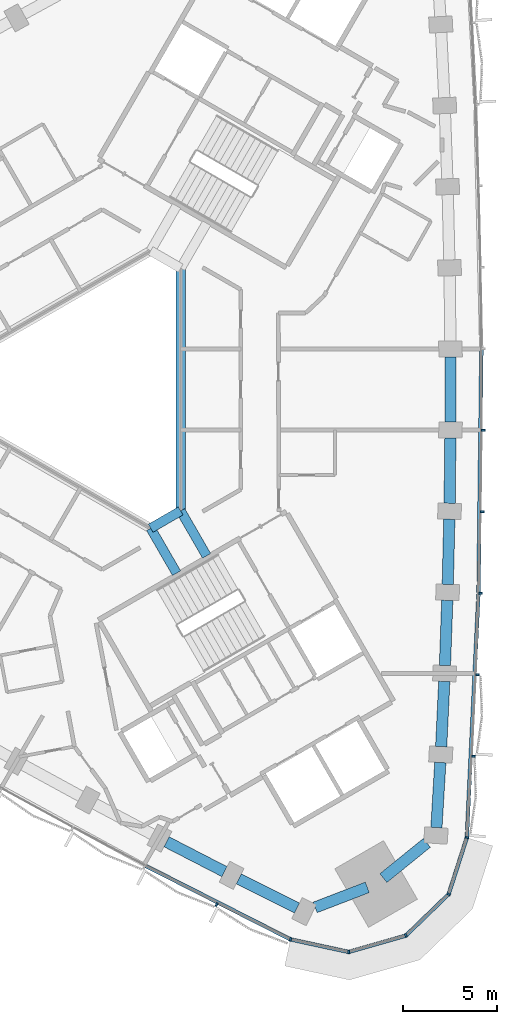
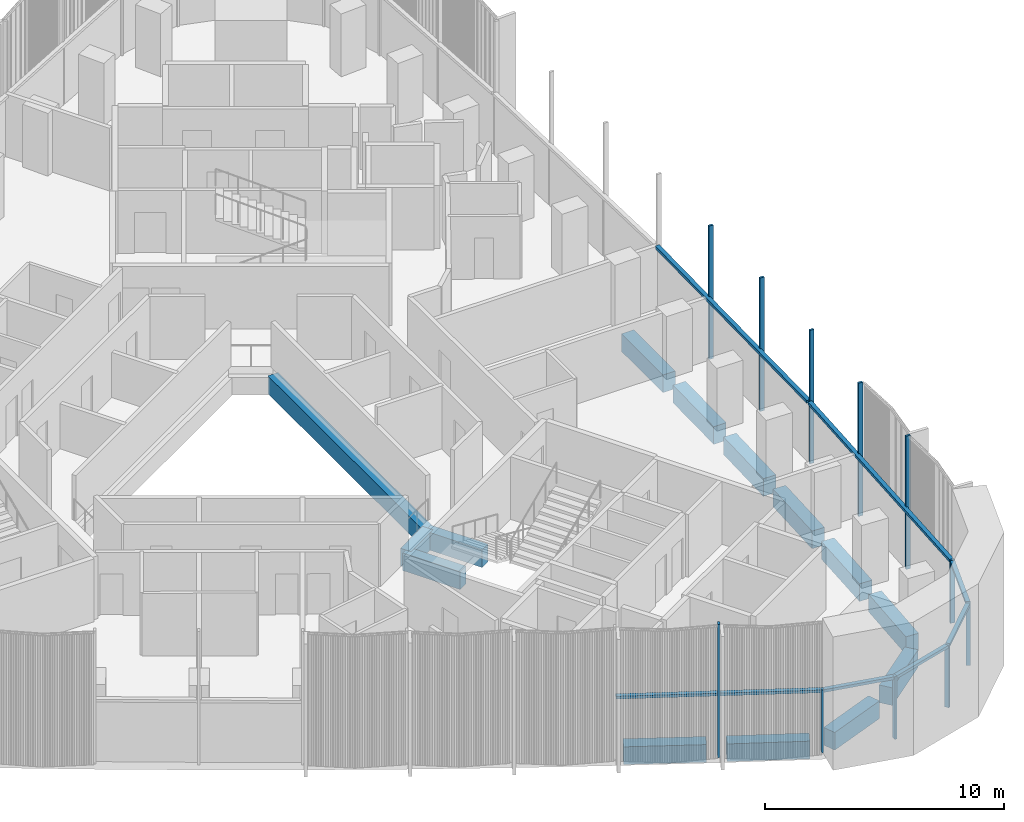
# One storey, part 3 of 15: 18 members, 14 beams, 2 elements without a shape of their own.
"""IFC4 building model written with IfcOpenShell, lengths in metres."""

from ifc_helpers import new_model, si_unit, direction, frame, origin, origin_2d, place, context, subcontext, project, spatial, rectangle, extrude, material, material_profile, profile_set, type_object, element, aggregate, save


model = new_model("IFC4")

# Units and contexts
model_context = context("Model", 3, precision=1e-05, world=origin(), true_north=direction((0.0, 1.0)))
body_context = subcontext(model_context, "Body", "Model", "MODEL_VIEW")
ifc_project = project(units=[si_unit("LENGTHUNIT", "METRE"), si_unit("AREAUNIT", "SQUARE_METRE"), si_unit("VOLUMEUNIT", "CUBIC_METRE"), si_unit("PLANEANGLEUNIT", "RADIAN"), si_unit("MASSUNIT", "GRAM", prefix="KILO")], contexts=[model_context])

# Site, building, storey
site_placement = place(None, origin())
site = spatial("IfcSite", under=ifc_project, at=site_placement, CompositionType="ELEMENT")
building_placement = place(site_placement, origin())
building = spatial("IfcBuilding", under=site, at=building_placement, Name="Tamra Quay Hotel Tower", CompositionType="ELEMENT")
storey_placement = place(building_placement, frame((0.0, 0.0, 157.60009765625)))
storey = spatial("IfcBuildingStorey", under=building, at=storey_placement, Name="L39", CompositionType="ELEMENT", Elevation=157.60009765625)

# Beams
ifc_material_1 = material(Name="Concrete M60", Category="concrete")
ifc_material_profile_1 = material_profile(ifc_material_1, rectangle(XDim=0.5, YDim=0.89990234375, at=origin_2d()), Name="ATRIUM EDGE BEAM RC 500x900")
ifc_profile_set_1 = profile_set([ifc_material_profile_1], Name="Concrete M60")
beam_type_1 = type_object("IfcBeamType", Name="ATRIUM EDGE BEAM RC 500x900", PredefinedType="BEAM", material=ifc_profile_set_1)
beam_1_placement = place(storey_placement, frame((4.800048828125, 6.46630859375, -0.85009765625), z_axis=(0.0, -1.0, 0.0), x_axis=(1.0, 0.0, 0.0)))
element("IfcBeam", 1, at=beam_1_placement, inside=storey, type_object=beam_type_1, Name="BM-AB0-L39", PredefinedType="BEAM", context=body_context, shape_type="SweptSolid", body=[
    extrude(rectangle(XDim=0.5, YDim=0.89990234375, at=origin_2d()), origin(), (0.0, 0.0, 1.0), 12.9326171875),
])
beam_2_placement = place(storey_placement, frame((4.800048828125, -6.46630859375, -0.85009765625), z_axis=(-0.86602275259, -0.500004591975, 0.0), x_axis=(0.500004591975, -0.86602275259, 0.0)))
element("IfcBeam", 2, at=beam_2_placement, inside=storey, type_object=beam_type_1, Name="BM-AB1-L39", PredefinedType="BEAM", context=body_context, shape_type="SweptSolid", body=[
    extrude(rectangle(XDim=0.5, YDim=0.89990234375, at=origin_2d()), origin(), (0.0, 0.0, 1.0), 1.84765625),
])
ifc_material_profile_2 = material_profile(ifc_material_1, rectangle(XDim=0.5, YDim=0.89990234375, at=origin_2d()), Name="ATRIUM TIE BEAM RC 500x900")
ifc_profile_set_2 = profile_set([ifc_material_profile_2], Name="Concrete M60")
beam_type_2 = type_object("IfcBeamType", Name="ATRIUM TIE BEAM RC 500x900", PredefinedType="BEAM", material=ifc_profile_set_2)
for number, where, z_axis, x_axis, name in (
    (3, (4.800048828125, -6.46630859375, -0.85009765625), (0.500008091576, -0.86602073206, 0.0), (0.86602073206, 0.500008091576, 0.0), "BM-TIE-1-L39"),
    (4, (3.199951171875, -7.39013671875, -0.85009765625), (0.500008091576, -0.86602073206, 0.0), (0.86602073206, 0.500008091576, 0.0), "BM-TIE-2-L39"),
):
    element("IfcBeam", number, at=place(storey_placement, frame(where, z_axis=z_axis, x_axis=x_axis)), inside=storey, type_object=beam_type_2, Name=name, PredefinedType="BEAM", context=body_context, shape_type="SweptSolid", body=[
        extrude(rectangle(XDim=0.5, YDim=0.89990234375, at=origin_2d()), origin(), (0.0, 0.0, 1.0), 2.76220703125),
    ])

# Curtain wall, members
ifc_material_2 = material(Name="Aluminium 6063 anodised dark grey", Category="aluminium")
curtain_wall_type_1 = type_object("IfcCurtainWallType", Name="CW1 CURTAIN WALL", PredefinedType="NOTDEFINED", material=ifc_material_2)
curtain_wall_1_placement = place(storey_placement, origin())
curtain_wall_1 = element("IfcCurtainWall", 5, at=curtain_wall_1_placement, inside=storey, type_object=curtain_wall_type_1, Name="CW1 east face L39", PredefinedType="NOTDEFINED")
ifc_material_profile_3 = material_profile(ifc_material_2, rectangle(XDim=0.199951171875, YDim=0.10009765625, at=origin_2d()), Name="MULLION 100X200")
ifc_profile_set_3 = profile_set([ifc_material_profile_3], Name="Aluminium 6063 anodised dark grey")
member_type_1 = type_object("IfcMemberType", Name="MULLION CW1 Z3", PredefinedType="MULLION", material=ifc_profile_set_3)
member_1_placement = place(storey_placement, frame((20.042236328125, -23.864990234375, 0.0), z_axis=(0.0, 0.0, 1.0), x_axis=(0.982883191402, -0.184229834881, 0.0)))
member_1 = element("IfcMember", 6, at=member_1_placement, type_object=member_type_1, Name="CW1 mullion L39.E.1", PredefinedType="MULLION", context=body_context, shape_type="SweptSolid", body=[
    extrude(rectangle(XDim=0.199951171875, YDim=0.10009765625, at=origin_2d()), origin(), (0.0, 0.0, 1.0), 3.199951171875),
])
member_2_placement = place(storey_placement, frame((20.40087890625, -19.5361328125, 0.0), z_axis=(0.0, 0.0, 1.0), x_axis=(0.998557357992, -0.053695463492, 0.0)))
member_2 = element("IfcMember", 7, at=member_2_placement, type_object=member_type_1, Name="CW1 mullion L39.E.2", PredefinedType="MULLION", context=body_context, shape_type="SweptSolid", body=[
    extrude(rectangle(XDim=0.199951171875, YDim=0.10009765625, at=origin_2d()), origin(), (0.0, 0.0, 1.0), 6.7998046875),
])
member_3_placement = place(storey_placement, frame((20.6083984375, -15.197998046875, 0.0), z_axis=(0.0, 0.0, 1.0), x_axis=(0.999126133482, -0.041796762943, 0.0)))
member_3 = element("IfcMember", 8, at=member_3_placement, type_object=member_type_1, Name="CW1 mullion L39.E.3", PredefinedType="MULLION", context=body_context, shape_type="SweptSolid", body=[
    extrude(rectangle(XDim=0.199951171875, YDim=0.10009765625, at=origin_2d()), origin(), (0.0, 0.0, 1.0), 6.7998046875),
])
member_4_placement = place(storey_placement, frame((20.763916015625, -10.857177734375, 0.0), z_axis=(0.0, 0.0, 1.0), x_axis=(0.999553759324, -0.029871093397, 0.0)))
member_4 = element("IfcMember", 9, at=member_4_placement, type_object=member_type_1, Name="CW1 mullion L39.E.4", PredefinedType="MULLION", context=body_context, shape_type="SweptSolid", body=[
    extrude(rectangle(XDim=0.199951171875, YDim=0.10009765625, at=origin_2d()), origin(), (0.0, 0.0, 1.0), 6.7998046875),
])
member_5_placement = place(storey_placement, frame((20.867919921875, -6.514404296875, 0.0), z_axis=(0.0, 0.0, 1.0), x_axis=(0.999839299777, -0.017926924493, 0.0)))
member_5 = element("IfcMember", 10, at=member_5_placement, type_object=member_type_1, Name="CW1 mullion L39.E.5", PredefinedType="MULLION", context=body_context, shape_type="SweptSolid", body=[
    extrude(rectangle(XDim=0.199951171875, YDim=0.10009765625, at=origin_2d()), origin(), (0.0, 0.0, 1.0), 6.7998046875),
])
member_6_placement = place(storey_placement, frame((20.919677734375, -2.171875, 0.0), z_axis=(0.0, 0.0, 1.0), x_axis=(0.99998212789, -0.005978620244, 0.0)))
member_6 = element("IfcMember", 11, at=member_6_placement, type_object=member_type_1, Name="CW1 mullion L39.E.6", PredefinedType="MULLION", context=body_context, shape_type="SweptSolid", body=[
    extrude(rectangle(XDim=0.199951171875, YDim=0.10009765625, at=origin_2d()), origin(), (0.0, 0.0, 1.0), 6.7998046875),
])

curtain_wall_type_2 = type_object("IfcCurtainWallType", Name="CW3 CURTAIN WALL", PredefinedType="NOTDEFINED", material=ifc_material_2)
curtain_wall_2_placement = place(storey_placement, origin())
curtain_wall_2 = element("IfcCurtainWall", 12, at=curtain_wall_2_placement, inside=storey, type_object=curtain_wall_type_2, Name="CW3 south-west face L39", PredefinedType="NOTDEFINED")
ifc_material_profile_4 = material_profile(ifc_material_2, rectangle(XDim=0.199951171875, YDim=0.10009765625, at=origin_2d()), Name="MULLION 100X200")
ifc_profile_set_4 = profile_set([ifc_material_profile_4], Name="Aluminium 6063 anodised dark grey")
member_type_2 = type_object("IfcMemberType", Name="MULLION CW3 Z3", PredefinedType="MULLION", material=ifc_profile_set_4)
member_7_placement = place(storey_placement, frame((6.71826171875, -27.435791015625, 0.0), z_axis=(0.0, 0.0, 1.0), x_axis=(-0.452777043544, -0.891623770903, 0.0)))
member_7 = element("IfcMember", 13, at=member_7_placement, type_object=member_type_2, Name="CW3 mullion L39.SW.11", PredefinedType="MULLION", context=body_context, shape_type="SweptSolid", body=[
    extrude(rectangle(XDim=0.199951171875, YDim=0.10009765625, at=origin_2d()), origin(), (0.0, 0.0, 1.0), 6.7998046875),
])
member_8_placement = place(storey_placement, frame((10.646728515625, -29.28955078125, 0.0), z_axis=(0.0, 0.0, 1.0), x_axis=(-0.331893878559, -0.943316730147, 0.0)))
member_8 = element("IfcMember", 14, at=member_8_placement, type_object=member_type_2, Name="CW3 mullion L39.SW.12", PredefinedType="MULLION", context=body_context, shape_type="SweptSolid", body=[
    extrude(rectangle(XDim=0.199951171875, YDim=0.10009765625, at=origin_2d()), origin(), (0.0, 0.0, 1.0), 3.199951171875),
])
member_9_placement = place(storey_placement, frame((13.74560546875, -29.958740234375, 0.0), z_axis=(0.0, 0.0, 1.0), x_axis=(0.032727311619, -0.99946431806, 0.0)))
member_9 = element("IfcMember", 15, at=member_9_placement, type_object=member_type_2, Name="CW3 mullion L39.SW.13", PredefinedType="MULLION", context=body_context, shape_type="SweptSolid", body=[
    extrude(rectangle(XDim=0.199951171875, YDim=0.10009765625, at=origin_2d()), origin(), (0.0, 0.0, 1.0), 3.199951171875),
])
member_10_placement = place(storey_placement, frame((16.794189453125, -29.088134765625, 0.0), z_axis=(0.0, 0.0, 1.0), x_axis=(0.5, -0.866025403784, 0.0)))
member_10 = element("IfcMember", 16, at=member_10_placement, type_object=member_type_2, Name="CW3 mullion L39.SW.14", PredefinedType="MULLION", context=body_context, shape_type="SweptSolid", body=[
    extrude(rectangle(XDim=0.199951171875, YDim=0.10009765625, at=origin_2d()), origin(), (0.0, 0.0, 1.0), 3.199951171875),
])
member_11_placement = place(storey_placement, frame((19.072265625, -26.883544921875, 0.0), z_axis=(0.0, 0.0, 1.0), x_axis=(0.849197833806, -0.52807484229, 0.0)))
member_11 = element("IfcMember", 17, at=member_11_placement, type_object=member_type_2, Name="CW3 mullion L39.SW.15", PredefinedType="MULLION", context=body_context, shape_type="SweptSolid", body=[
    extrude(rectangle(XDim=0.199951171875, YDim=0.10009765625, at=origin_2d()), origin(), (0.0, 0.0, 1.0), 3.199951171875),
])

# Beams
ifc_material_profile_5 = material_profile(ifc_material_1, rectangle(XDim=0.60009765625, YDim=0.89990234375, at=origin_2d()), Name="SPANDREL BEAM RC 600x900")
ifc_profile_set_5 = profile_set([ifc_material_profile_5], Name="Concrete M60")
beam_type_3 = type_object("IfcBeamType", Name="SPANDREL BEAM RC 600x900", PredefinedType="SPANDREL", material=ifc_profile_set_5)
beam_3_placement = place(storey_placement, frame((18.422119140625, -23.3330078125, -0.85009765625), z_axis=(0.059620475238, 0.998221117254, 0.0), x_axis=(-0.998221117254, 0.059620475238, 0.0)))
element("IfcBeam", 18, at=beam_3_placement, inside=storey, type_object=beam_type_3, Name="BM-SP3-000-L39", PredefinedType="SPANDREL", context=body_context, shape_type="SweptSolid", body=[
    extrude(rectangle(XDim=0.60009765625, YDim=0.89990234375, at=origin_2d()), origin(), (0.0, 0.0, 1.0), 3.472412109375),
])
beam_4_placement = place(storey_placement, frame((18.6748046875, -19.017822265625, -0.85009765625), z_axis=(0.047732145575, 0.998860171535, 0.0), x_axis=(-0.998860171535, 0.047732145575, 0.0)))
element("IfcBeam", 19, at=beam_4_placement, inside=storey, type_object=beam_type_3, Name="BM-SP3-001-L39", PredefinedType="SPANDREL", context=body_context, shape_type="SweptSolid", body=[
    extrude(rectangle(XDim=0.60009765625, YDim=0.89990234375, at=origin_2d()), origin(), (0.0, 0.0, 1.0), 3.472900390625),
])
beam_5_placement = place(storey_placement, frame((18.876220703125, -14.69970703125, -0.85009765625), z_axis=(0.035786826945, 0.999359446354, 0.0), x_axis=(-0.999359446354, 0.035786826945, 0.0)))
element("IfcBeam", 20, at=beam_5_placement, inside=storey, type_object=beam_type_3, Name="BM-SP3-002-L39", PredefinedType="SPANDREL", context=body_context, shape_type="SweptSolid", body=[
    extrude(rectangle(XDim=0.60009765625, YDim=0.89990234375, at=origin_2d()), origin(), (0.0, 0.0, 1.0), 3.472412109375),
])
beam_6_placement = place(storey_placement, frame((19.02587890625, -10.3798828125, -0.85009765625), z_axis=(0.023906514803, 0.999714198434, 0.0), x_axis=(-0.999714198434, 0.023906514803, 0.0)))
element("IfcBeam", 21, at=beam_6_placement, inside=storey, type_object=beam_type_3, Name="BM-SP3-003-L39", PredefinedType="SPANDREL", context=body_context, shape_type="SweptSolid", body=[
    extrude(rectangle(XDim=0.60009765625, YDim=0.89990234375, at=origin_2d()), origin(), (0.0, 0.0, 1.0), 3.47216796875),
])
beam_7_placement = place(storey_placement, frame((19.124267578125, -6.05859375, -0.85009765625), z_axis=(0.011951617666, 0.999928576867, 0.0), x_axis=(-0.999928576867, 0.011951617666, 0.0)))
element("IfcBeam", 22, at=beam_7_placement, inside=storey, type_object=beam_type_3, Name="BM-SP3-004-L39", PredefinedType="SPANDREL", context=body_context, shape_type="SweptSolid", body=[
    extrude(rectangle(XDim=0.60009765625, YDim=0.89990234375, at=origin_2d()), origin(), (0.0, 0.0, 1.0), 3.47265625),
])
beam_8_placement = place(storey_placement, frame((19.1708984375, -1.736083984375, -0.85009765625), z_axis=(0.0, 1.0, 0.0), x_axis=(-1.0, 0.0, 0.0)))
element("IfcBeam", 23, at=beam_8_placement, inside=storey, type_object=beam_type_3, Name="BM-SP3-005-L39", PredefinedType="SPANDREL", context=body_context, shape_type="SweptSolid", body=[
    extrude(rectangle(XDim=0.60009765625, YDim=0.89990234375, at=origin_2d()), origin(), (0.0, 0.0, 1.0), 3.47216796875),
])
beam_9_placement = place(storey_placement, frame((4.04541015625, -24.0908203125, -0.85009765625), z_axis=(0.888919913451, -0.458062645792, 0.0), x_axis=(0.458062645792, 0.888919913451, 0.0)))
element("IfcBeam", 24, at=beam_9_placement, inside=storey, type_object=beam_type_3, Name="BM-SP3-035-L39", PredefinedType="SPANDREL", context=body_context, shape_type="SweptSolid", body=[
    extrude(rectangle(XDim=0.60009765625, YDim=0.89990234375, at=origin_2d()), origin(), (0.0, 0.0, 1.0), 3.472900390625),
])
beam_10_placement = place(storey_placement, frame((7.890380859375, -26.066650390625, -0.85009765625), z_axis=(0.894314670292, -0.447438566174, 0.0), x_axis=(0.447438566174, 0.894314670292, 0.0)))
element("IfcBeam", 25, at=beam_10_placement, inside=storey, type_object=beam_type_3, Name="BM-SP3-036-L39", PredefinedType="SPANDREL", context=body_context, shape_type="SweptSolid", body=[
    extrude(rectangle(XDim=0.60009765625, YDim=0.89990234375, at=origin_2d()), origin(), (0.0, 0.0, 1.0), 3.472412109375),
])
beam_11_placement = place(storey_placement, frame((11.960693359375, -27.586181640625, -0.85009765625), z_axis=(0.933527198951, 0.358506581278, 0.0), x_axis=(-0.358506581278, 0.933527198951, 0.0)))
element("IfcBeam", 26, at=beam_11_placement, inside=storey, type_object=beam_type_3, Name="BM-SP3-037-L39", PredefinedType="SPANDREL", context=body_context, shape_type="SweptSolid", body=[
    extrude(rectangle(XDim=0.60009765625, YDim=0.89990234375, at=origin_2d()), origin(), (0.0, 0.0, 1.0), 2.97802734375),
])
beam_12_placement = place(storey_placement, frame((15.595703125, -26.02490234375, -0.85009765625), z_axis=(0.777183767602, 0.629273701482, 0.0), x_axis=(-0.629273701482, 0.777183767602, 0.0)))
element("IfcBeam", 27, at=beam_12_placement, inside=storey, type_object=beam_type_3, Name="BM-SP3-038-L39", PredefinedType="SPANDREL", context=body_context, shape_type="SweptSolid", body=[
    extrude(rectangle(XDim=0.60009765625, YDim=0.89990234375, at=origin_2d()), origin(), (0.0, 0.0, 1.0), 2.977783203125),
])

# Member
ifc_material_profile_6 = material_profile(ifc_material_2, rectangle(XDim=0.199951171875, YDim=0.139892578125, at=origin_2d()), Name="TRANSOM 200X140")
ifc_profile_set_6 = profile_set([ifc_material_profile_6], Name="Aluminium 6063 anodised dark grey")
member_type_3 = type_object("IfcMemberType", Name="TRANSOM CW1 Z3", PredefinedType="USERDEFINED", material=ifc_profile_set_6)
member_12_placement = place(storey_placement, frame((20.045166015625, -23.815185546875, 3.1298828125), z_axis=(0.047748214434, 0.998859403529, 0.0), x_axis=(-0.998859403529, 0.047748214434, 0.0)))
member_12 = element("IfcMember", 28, at=member_12_placement, type_object=member_type_3, Name="CW1 transom L39.E.1", ObjectType="TRANSOM", PredefinedType="USERDEFINED", context=body_context, shape_type="SweptSolid", body=[
    extrude(rectangle(XDim=0.199951171875, YDim=0.139892578125, at=origin_2d()), origin(), (0.0, 0.0, 1.0), 12.92578125),
])

member_13_placement = place(storey_placement, frame((20.665283203125, -10.80419921875, 3.1298828125), z_axis=(0.011955400346, 0.999928531647, 0.0), x_axis=(-0.999928531647, 0.011955400346, 0.0)))
member_13 = element("IfcMember", 29, at=member_13_placement, type_object=member_type_3, Name="CW1 transom L39.E.4", ObjectType="TRANSOM", PredefinedType="USERDEFINED", context=body_context, shape_type="SweptSolid", body=[
    extrude(rectangle(XDim=0.199951171875, YDim=0.139892578125, at=origin_2d()), origin(), (0.0, 0.0, 1.0), 12.926513671875),
])

aggregate(curtain_wall_1, [member_1, member_12, member_2, member_3, member_4, member_13, member_5, member_6])

ifc_material_profile_7 = material_profile(ifc_material_2, rectangle(XDim=0.199951171875, YDim=0.139892578125, at=origin_2d()), Name="TRANSOM 200X140")
ifc_profile_set_7 = profile_set([ifc_material_profile_7], Name="Aluminium 6063 anodised dark grey")
member_type_4 = type_object("IfcMemberType", Name="TRANSOM CW3 Z3", PredefinedType="USERDEFINED", material=ifc_profile_set_7)
member_14_placement = place(storey_placement, frame((2.948486328125, -25.380615234375, 3.1298828125), z_axis=(0.891628261752, -0.452768199905, 0.0), x_axis=(0.452768199905, 0.891628261752, 0.0)))
member_14 = element("IfcMember", 30, at=member_14_placement, type_object=member_type_4, Name="CW3 transom L39.SW.10", ObjectType="TRANSOM", PredefinedType="USERDEFINED", context=body_context, shape_type="SweptSolid", body=[
    extrude(rectangle(XDim=0.199951171875, YDim=0.139892578125, at=origin_2d()), origin(), (0.0, 0.0, 1.0), 8.583740234375),
])

member_15_placement = place(storey_placement, frame((10.695556640625, -29.300048828125, 3.1298828125), z_axis=(0.977462525021, -0.211109005445, 0.0), x_axis=(0.211109005445, 0.977462525021, 0.0)))
member_15 = element("IfcMember", 31, at=member_15_placement, type_object=member_type_4, Name="CW3 transom L39.SW.12", ObjectType="TRANSOM", PredefinedType="USERDEFINED", context=body_context, shape_type="SweptSolid", body=[
    extrude(rectangle(XDim=0.199951171875, YDim=0.139892578125, at=origin_2d()), origin(), (0.0, 0.0, 1.0), 3.0703125),
])

member_16_placement = place(storey_placement, frame((13.793701171875, -29.945068359375, 3.1298828125), z_axis=(0.961568942949, 0.274563595469, 0.0), x_axis=(-0.274563595469, 0.961568942949, 0.0)))
member_16 = element("IfcMember", 32, at=member_16_placement, type_object=member_type_4, Name="CW3 transom L39.SW.13", ObjectType="TRANSOM", PredefinedType="USERDEFINED", context=body_context, shape_type="SweptSolid", body=[
    extrude(rectangle(XDim=0.199951171875, YDim=0.139892578125, at=origin_2d()), origin(), (0.0, 0.0, 1.0), 3.0703125),
])

member_17_placement = place(storey_placement, frame((16.830078125, -29.053466796875, 3.1298828125), z_axis=(0.71858163235, 0.695442619955, 0.0), x_axis=(-0.695442619955, 0.71858163235, 0.0)))
member_17 = element("IfcMember", 33, at=member_17_placement, type_object=member_type_4, Name="CW3 transom L39.SW.14", ObjectType="TRANSOM", PredefinedType="USERDEFINED", context=body_context, shape_type="SweptSolid", body=[
    extrude(rectangle(XDim=0.199951171875, YDim=0.139892578125, at=origin_2d()), origin(), (0.0, 0.0, 1.0), 3.0703125),
])

member_18_placement = place(storey_placement, frame((19.087646484375, -26.8359375, 3.1298828125), z_axis=(0.30588048859, 0.952069916918, 0.0), x_axis=(-0.952069916918, 0.30588048859, 0.0)))
member_18 = element("IfcMember", 34, at=member_18_placement, type_object=member_type_4, Name="CW3 transom L39.SW.15", ObjectType="TRANSOM", PredefinedType="USERDEFINED", context=body_context, shape_type="SweptSolid", body=[
    extrude(rectangle(XDim=0.199951171875, YDim=0.139892578125, at=origin_2d()), origin(), (0.0, 0.0, 1.0), 3.070556640625),
])

aggregate(curtain_wall_2, [member_14, member_7, member_8, member_15, member_9, member_16, member_10, member_17, member_11, member_18])

save(model, "model.ifc")
